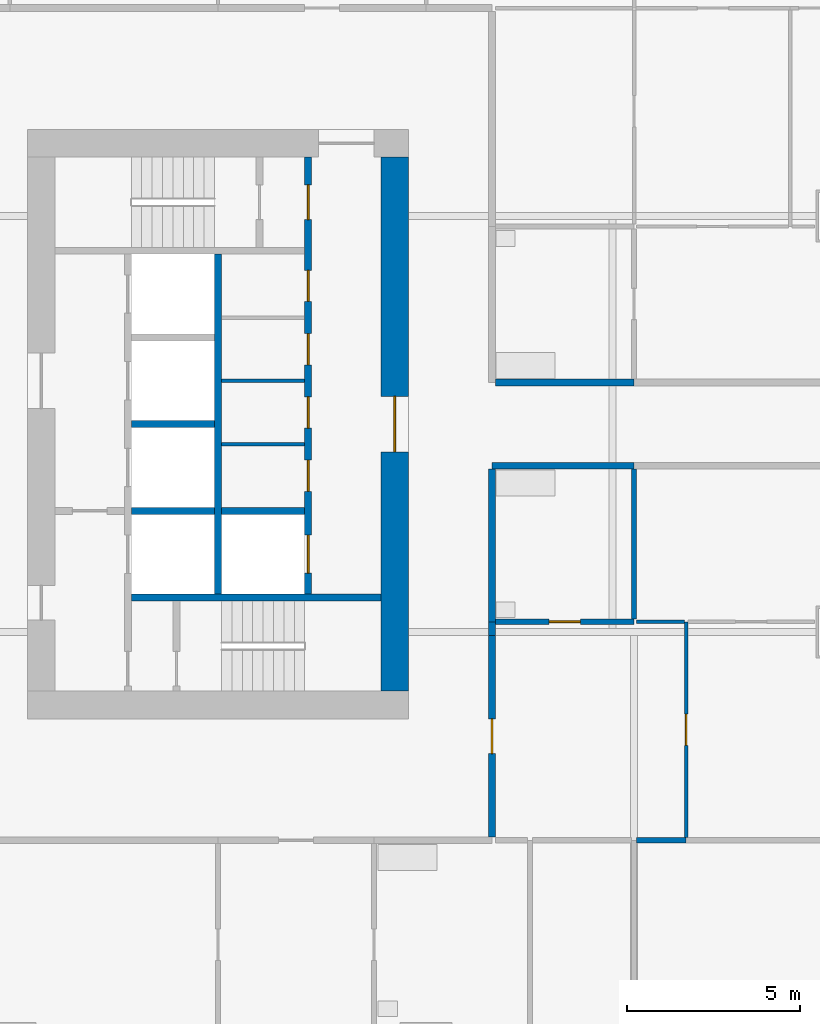
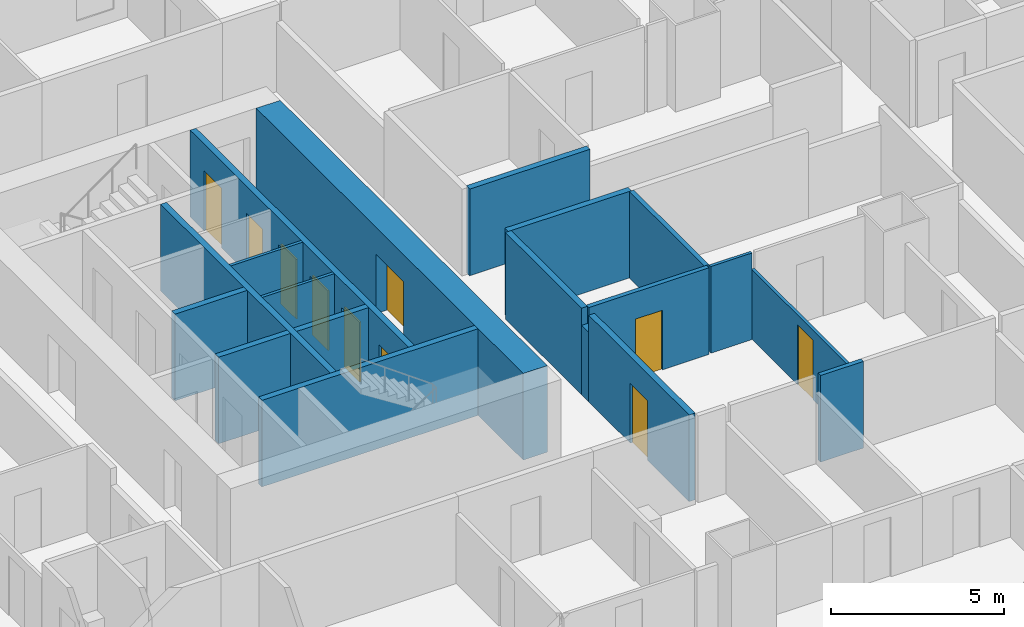
# One storey, part 4 of 14: 19 walls, 10 doors, 10 openings.
"""IFC4 building model written with IfcOpenShell, lengths in metres."""

from ifc_helpers import new_model, si_unit, direction, frame, frame_2d, origin, place, context, subcontext, project, spatial, rectangle, extrude, material, layer, layer_set, type_object, element, fill, save


model = new_model("IFC4")

# Units and contexts
model_context = context("Model", 3, precision=1e-05, world=origin(), true_north=direction((0.0, 1.0)))
body_context = subcontext(model_context, "Body", "Model", "MODEL_VIEW")
ifc_project = project(units=[si_unit("LENGTHUNIT", "METRE"), si_unit("AREAUNIT", "SQUARE_METRE"), si_unit("VOLUMEUNIT", "CUBIC_METRE"), si_unit("PLANEANGLEUNIT", "RADIAN"), si_unit("MASSUNIT", "GRAM", prefix="KILO")], contexts=[model_context])

# Site, building, storey
site_placement = place(None, origin())
site = spatial("IfcSite", under=ifc_project, at=site_placement, CompositionType="ELEMENT")
building_placement = place(site_placement, origin())
building = spatial("IfcBuilding", under=site, at=building_placement, Name="Kitamizu Gate Tower and Museum", CompositionType="ELEMENT")
storey_placement = place(building_placement, frame((0.0, 0.0, 74.85009765625)))
storey = spatial("IfcBuildingStorey", under=building, at=storey_placement, Name="L18", CompositionType="ELEMENT", Elevation=74.85009765625)

# Wall, opening, door
ifc_material_1 = material(Name="Concrete Fc60", Category="concrete")
ifc_layer_1 = layer(ifc_material_1, 0.800048828125)
ifc_layer_set_1 = layer_set([ifc_layer_1], Name="Concrete Fc60")
wall_type_1 = type_object("IfcWallType", Name="Core wall 800", PredefinedType="SHEAR", material=ifc_layer_set_1)
wall_1_placement = place(storey_placement, frame((23.10009765625, 22.300048828125, 0.0), z_axis=(0.0, 0.0, 1.0), x_axis=(0.0, 1.0, 0.0)))
wall_1 = element("IfcWall", 1, at=wall_1_placement, inside=storey, type_object=wall_type_1, Name="Core wall WARC", PredefinedType="SHEAR", context=body_context, shape_type="SweptSolid", body=[
    extrude(rectangle(XDim=15.39990234375, YDim=0.800048828125, at=frame_2d((7.699951171875, 0.0))), origin(), (0.0, 0.0, 1.0), 3.0498046875),
])
opening_1_placement = place(wall_1_placement, frame((6.89990234375, 0.0, 0.0)))
opening_1 = element("IfcOpeningElement", 2, at=opening_1_placement, cuts=wall_1, Name="Opening L18-079", PredefinedType="OPENING", context=body_context, shape_type="SweptSolid", body=[
    extrude(rectangle(XDim=1.60009765625, YDim=2.10009765625, at=frame_2d((0.800048828125, 1.050048828125))), frame((0.0, 0.41015625, 0.0), z_axis=(0.0, -1.0, 0.0), x_axis=(1.0, 0.0, 0.0)), (0.0, 0.0, 1.0), 0.820068359375),
])
ifc_material_2 = material(Name="Timber door set", Category="wood")
door_type_1 = type_object("IfcDoorType", Name="Entrance door 1600", OperationType="DOUBLE_DOOR_SINGLE_SWING", PredefinedType="DOOR", material=ifc_material_2)
door_1_placement = place(opening_1_placement, origin())
door_1 = element("IfcDoor", 3, at=door_1_placement, inside=storey, type_object=door_type_1, Name="Lobby door L18-079", OperationType="DOUBLE_DOOR_SINGLE_SWING", OverallHeight=2.10009765625, OverallWidth=1.60009765625, PredefinedType="DOOR", context=body_context, shape_type="SweptSolid", body=[
    extrude(rectangle(XDim=1.60009765625, YDim=2.10009765625, at=frame_2d((0.800048828125, 1.050048828125))), frame((0.0, 0.02490234375, 0.0), z_axis=(0.0, -1.0, 0.0), x_axis=(1.0, 0.0, 0.0)), (0.0, 0.0, 1.0), 0.050048828125),
])
fill(opening_1, door_1)

# Walls
ifc_material_3 = material(Name="Gypsum board on galvanised stud")
ifc_layer_2 = layer(ifc_material_3, 0.10009765625)
ifc_layer_set_2 = layer_set([ifc_layer_2], Name="Gypsum board on galvanised stud")
wall_type_2 = type_object("IfcWallType", Name="Partition 100", PredefinedType="PARTITIONING", material=ifc_layer_set_2)
for number, where, z_axis, x_axis, name in (
    (4, (18.10009765625, 29.425048828125, 0.0), (0.0, 0.0, 1.0), (1.0, 0.0, 0.0), "Partition WPF1"),
    (5, (18.10009765625, 31.25, 0.0), (0.0, 0.0, 1.0), (1.0, 0.0, 0.0), "Partition WPF2"),
):
    element("IfcWall", number, at=place(storey_placement, frame(where, z_axis=z_axis, x_axis=x_axis)), inside=storey, type_object=wall_type_2, Name=name, PredefinedType="PARTITIONING", context=body_context, shape_type="SweptSolid", body=[
        extrude(rectangle(XDim=2.39990234375, YDim=0.10009765625, at=frame_2d((1.199951171875, 0.0))), origin(), (0.0, 0.0, 1.0), 3.0498046875),
    ])

# Wall, opening, door
ifc_material_4 = material(Name="Gypsum board on galvanised stud")
ifc_layer_3 = layer(ifc_material_4, 0.10009765625)
ifc_layer_set_3 = layer_set([ifc_layer_3], Name="Gypsum board on galvanised stud")
wall_type_3 = type_object("IfcWallType", Name="Partition 100 NOT RATED", PredefinedType="PARTITIONING", material=ifc_layer_set_3)
wall_2_placement = place(storey_placement, frame((31.5, 18.074951171875, 0.0), z_axis=(0.0, 0.0, 1.0), x_axis=(0.0, 1.0, 0.0)))
wall_2 = element("IfcWall", 6, at=wall_2_placement, inside=storey, type_object=wall_type_3, Name="Partition L18-038", PredefinedType="PARTITIONING", context=body_context, shape_type="SweptSolid", body=[
    extrude(rectangle(XDim=6.22509765625, YDim=0.10009765625, at=frame_2d((3.112548828125, 0.0))), origin(), (0.0, 0.0, 1.0), 2.449951171875),
])
opening_2_placement = place(wall_2_placement, frame((2.66259765625, 0.0, 0.0)))
opening_2 = element("IfcOpeningElement", 7, at=opening_2_placement, cuts=wall_2, Name="Opening L18-014", PredefinedType="OPENING", context=body_context, shape_type="SweptSolid", body=[
    extrude(rectangle(XDim=0.89990234375, YDim=2.10009765625, at=frame_2d((0.449951171875, 1.050048828125))), frame((0.0, 0.06005859375, 0.0), z_axis=(0.0, -1.0, 0.0), x_axis=(1.0, 0.0, 0.0)), (0.0, 0.0, 1.0), 0.1201171875),
])
ifc_material_5 = material(Name="Timber door set", Category="wood")
door_type_2 = type_object("IfcDoorType", Name="Room door 900", OperationType="NOTDEFINED", PredefinedType="DOOR", material=ifc_material_5)
door_2_placement = place(opening_2_placement, frame((0.89990234375, 0.0, 0.0), x_axis=(-1.0, 0.0, 0.0)))
door_2 = element("IfcDoor", 8, at=door_2_placement, inside=storey, type_object=door_type_2, Name="Door L18-014", OperationType="SINGLE_SWING_LEFT", OverallHeight=2.10009765625, OverallWidth=0.89990234375, PredefinedType="DOOR", context=body_context, shape_type="SweptSolid", body=[
    extrude(rectangle(XDim=0.89990234375, YDim=2.10009765625, at=frame_2d((0.449951171875, 1.050048828125))), frame((0.0, 0.02490234375, 0.0), z_axis=(0.0, -1.0, 0.0), x_axis=(1.0, 0.0, 0.0)), (0.0, 0.0, 1.0), 0.050048828125),
])
fill(opening_2, door_2)

# Walls
wall_3_placement = place(storey_placement, frame((31.449951171875, 24.300048828125, 0.0), z_axis=(0.0, 0.0, 1.0), x_axis=(-1.0, 0.0, 0.0)))
element("IfcWall", 9, at=wall_3_placement, inside=storey, type_object=wall_type_3, Name="Partition L18-040", PredefinedType="PARTITIONING", context=body_context, shape_type="SweptSolid", body=[
    extrude(rectangle(XDim=1.375, YDim=0.10009765625, at=frame_2d((0.6875, 0.0))), origin(), (0.0, 0.0, 1.0), 3.0498046875),
])
ifc_material_6 = material(Name="Gypsum board on galvanised stud")
ifc_layer_4 = layer(ifc_material_6, 0.14990234375)
ifc_layer_set_4 = layer_set([ifc_layer_4], Name="Gypsum board on galvanised stud")
wall_type_4 = type_object("IfcWallType", Name="Partition 150", PredefinedType="PARTITIONING", material=ifc_layer_set_4)
wall_4_placement = place(storey_placement, frame((31.5, 18.0, 0.0), z_axis=(0.0, 0.0, 1.0), x_axis=(-1.0, 0.0, 0.0)))
element("IfcWall", 10, at=wall_4_placement, inside=storey, type_object=wall_type_4, Name="Partition L18-035", PredefinedType="PARTITIONING", context=body_context, shape_type="SweptSolid", body=[
    extrude(rectangle(XDim=1.425048828125, YDim=0.14990234375, at=frame_2d((0.71240234375, 0.0))), origin(), (0.0, 0.0, 1.0), 3.0498046875),
])

# Wall, opening, door
wall_5_placement = place(storey_placement, frame((30.0, 24.300048828125, 0.0), z_axis=(0.0, 0.0, 1.0), x_axis=(-1.0, 0.0, 0.0)))
wall_5 = element("IfcWall", 11, at=wall_5_placement, inside=storey, type_object=wall_type_4, Name="Partition L18-039", PredefinedType="PARTITIONING", context=body_context, shape_type="SweptSolid", body=[
    extrude(rectangle(XDim=4.0, YDim=0.14990234375, at=frame_2d((2.0, 0.0))), origin(), (0.0, 0.0, 1.0), 3.0498046875),
])
opening_3_placement = place(wall_5_placement, frame((1.550048828125, 0.0, 0.0)))
opening_3 = element("IfcOpeningElement", 12, at=opening_3_placement, cuts=wall_5, Name="Opening L18-016", PredefinedType="OPENING", context=body_context, shape_type="SweptSolid", body=[
    extrude(rectangle(XDim=0.89990234375, YDim=2.10009765625, at=frame_2d((0.449951171875, 1.050048828125))), frame((0.0, 0.0849609375, 0.0), z_axis=(0.0, -1.0, 0.0), x_axis=(1.0, 0.0, 0.0)), (0.0, 0.0, 1.0), 0.169921875),
])
ifc_material_7 = material(Name="Timber door set", Category="wood")
door_type_3 = type_object("IfcDoorType", Name="Bathroom door 900", OperationType="NOTDEFINED", PredefinedType="DOOR", material=ifc_material_7)
door_3_placement = place(opening_3_placement, frame((0.89990234375, 0.0, 0.0), x_axis=(-1.0, 0.0, 0.0)))
door_3 = element("IfcDoor", 13, at=door_3_placement, inside=storey, type_object=door_type_3, Name="Bathroom door L18-016", OperationType="SINGLE_SWING_LEFT", OverallHeight=2.10009765625, OverallWidth=0.89990234375, PredefinedType="DOOR", context=body_context, shape_type="SweptSolid", body=[
    extrude(rectangle(XDim=0.89990234375, YDim=2.10009765625, at=frame_2d((0.449951171875, 1.050048828125))), frame((0.0, 0.02490234375, 0.0), z_axis=(0.0, -1.0, 0.0), x_axis=(1.0, 0.0, 0.0)), (0.0, 0.0, 1.0), 0.050048828125),
])
fill(opening_3, door_3)

# Walls
wall_6_placement = place(storey_placement, frame((30.0, 24.375, 0.0), z_axis=(0.0, 0.0, 1.0), x_axis=(0.0, 1.0, 0.0)))
element("IfcWall", 14, at=wall_6_placement, inside=storey, type_object=wall_type_4, Name="Partition L18-048", PredefinedType="PARTITIONING", context=body_context, shape_type="SweptSolid", body=[
    extrude(rectangle(XDim=4.324951171875, YDim=0.14990234375, at=frame_2d((2.16259765625, 0.0))), origin(), (0.0, 0.0, 1.0), 3.0498046875),
])
ifc_material_8 = material(Name="Gypsum board on galvanised stud")
ifc_layer_5 = layer(ifc_material_8, 0.199951171875)
ifc_layer_set_5 = layer_set([ifc_layer_5], Name="Gypsum board on galvanised stud")
wall_type_5 = type_object("IfcWallType", Name="Partition 200", PredefinedType="PARTITIONING", material=ifc_layer_set_5)
wall_7_placement = place(storey_placement, frame((25.89990234375, 24.300048828125, 0.0), z_axis=(0.0, 0.0, 1.0), x_axis=(0.0, -1.0, 0.0)))
element("IfcWall", 15, at=wall_7_placement, inside=storey, type_object=wall_type_5, Name="Partition L18-041", PredefinedType="PARTITIONING", context=body_context, shape_type="SweptSolid", body=[
    extrude(rectangle(XDim=0.400146484375, YDim=0.199951171875, at=frame_2d((0.2001953125, 0.0))), origin(), (0.0, 0.0, 1.0), 2.449951171875),
])

# Wall, opening, door
wall_8_placement = place(storey_placement, frame((25.89990234375, 23.89990234375, 0.0), z_axis=(0.0, 0.0, 1.0), x_axis=(0.0, -1.0, 0.0)))
wall_8 = element("IfcWall", 16, at=wall_8_placement, inside=storey, type_object=wall_type_5, Name="Partition L18-042", PredefinedType="PARTITIONING", context=body_context, shape_type="SweptSolid", body=[
    extrude(rectangle(XDim=5.7998046875, YDim=0.199951171875, at=frame_2d((2.89990234375, 0.0))), origin(), (0.0, 0.0, 1.0), 3.0498046875),
])
opening_4_placement = place(wall_8_placement, frame((2.39990234375, 0.0, 0.0)))
opening_4 = element("IfcOpeningElement", 17, at=opening_4_placement, cuts=wall_8, Name="Opening L18-013", PredefinedType="OPENING", context=body_context, shape_type="SweptSolid", body=[
    extrude(rectangle(XDim=1.0, YDim=2.10009765625, at=frame_2d((0.5, 1.050048828125))), frame((0.0, 0.10986328125, 0.0), z_axis=(0.0, -1.0, 0.0), x_axis=(1.0, 0.0, 0.0)), (0.0, 0.0, 1.0), 0.219970703125),
])
ifc_material_9 = material(Name="Timber door set", Category="wood")
door_type_4 = type_object("IfcDoorType", Name="Flat entrance door 1000", OperationType="NOTDEFINED", PredefinedType="DOOR", material=ifc_material_9)
door_4_placement = place(opening_4_placement, origin())
door_4 = element("IfcDoor", 18, at=door_4_placement, inside=storey, type_object=door_type_4, Name="Flat entrance door L18-013", OperationType="SINGLE_SWING_LEFT", OverallHeight=2.10009765625, OverallWidth=1.0, PredefinedType="DOOR", context=body_context, shape_type="SweptSolid", body=[
    extrude(rectangle(XDim=1.0, YDim=2.10009765625, at=frame_2d((0.5, 1.050048828125))), frame((0.0, 0.02490234375, 0.0), z_axis=(0.0, -1.0, 0.0), x_axis=(1.0, 0.0, 0.0)), (0.0, 0.0, 1.0), 0.050048828125),
])
fill(opening_4, door_4)

# Walls
wall_9_placement = place(storey_placement, frame((30.0, 28.800048828125, 0.0), z_axis=(0.0, 0.0, 1.0), x_axis=(-1.0, 0.0, 0.0)))
element("IfcWall", 19, at=wall_9_placement, inside=storey, type_object=wall_type_5, Name="Partition L18-049", PredefinedType="PARTITIONING", context=body_context, shape_type="SweptSolid", body=[
    extrude(rectangle(XDim=4.10009765625, YDim=0.199951171875, at=frame_2d((2.050048828125, 0.0))), origin(), (0.0, 0.0, 1.0), 3.0498046875),
])
wall_10_placement = place(storey_placement, frame((25.89990234375, 28.699951171875, 0.0), z_axis=(0.0, 0.0, 1.0), x_axis=(0.0, -1.0, 0.0)))
element("IfcWall", 20, at=wall_10_placement, inside=storey, type_object=wall_type_5, Name="Partition L18-050", PredefinedType="PARTITIONING", context=body_context, shape_type="SweptSolid", body=[
    extrude(rectangle(XDim=4.39990234375, YDim=0.199951171875, at=frame_2d((2.199951171875, 0.0))), origin(), (0.0, 0.0, 1.0), 3.0498046875),
])
wall_11_placement = place(storey_placement, frame((26.0, 31.199951171875, 0.0), z_axis=(0.0, 0.0, 1.0), x_axis=(1.0, 0.0, 0.0)))
element("IfcWall", 21, at=wall_11_placement, inside=storey, type_object=wall_type_5, Name="Partition L18-167", PredefinedType="PARTITIONING", context=body_context, shape_type="SweptSolid", body=[
    extrude(rectangle(XDim=4.0, YDim=0.199951171875, at=frame_2d((2.0, 0.0))), origin(), (0.0, 0.0, 1.0), 3.0498046875),
])

# Wall, openings, doors
ifc_material_10 = material(Name="Concrete Fc42", Category="concrete")
ifc_layer_6 = layer(ifc_material_10, 0.199951171875)
ifc_layer_set_6 = layer_set([ifc_layer_6], Name="Concrete Fc42")
wall_type_6 = type_object("IfcWallType", Name="Shaft wall 200", PredefinedType="SOLIDWALL", material=ifc_layer_set_6)
wall_12_placement = place(storey_placement, frame((20.60009765625, 25.10009765625, 0.0), z_axis=(0.0, 0.0, 1.0), x_axis=(0.0, 1.0, 0.0)))
wall_12 = element("IfcWall", 22, at=wall_12_placement, inside=storey, type_object=wall_type_6, Name="Shaft wall WEAST", PredefinedType="SOLIDWALL", context=body_context, shape_type="SweptSolid", body=[
    extrude(rectangle(XDim=12.599853515625, YDim=0.199951171875, at=frame_2d((6.2998046875, 0.0))), origin(), (0.0, 0.0, 1.0), 3.0498046875),
])
opening_5_placement = place(wall_12_placement, frame((0.60009765625, 0.0, 0.0)))
opening_5 = element("IfcOpeningElement", 23, at=opening_5_placement, cuts=wall_12, Name="Opening LD", PredefinedType="OPENING", context=body_context, shape_type="SweptSolid", body=[
    extrude(rectangle(XDim=1.10009765625, YDim=2.10009765625, at=frame_2d((0.550048828125, 1.050048828125))), frame((0.0, 0.10986328125, 0.0), z_axis=(0.0, -1.0, 0.0), x_axis=(1.0, 0.0, 0.0)), (0.0, 0.0, 1.0), 0.219970703125),
])
opening_6_placement = place(wall_12_placement, frame((10.800048828125, 0.0, 0.0)))
opening_6 = element("IfcOpeningElement", 24, at=opening_6_placement, cuts=wall_12, Name="Opening L18-073", PredefinedType="OPENING", context=body_context, shape_type="SweptSolid", body=[
    extrude(rectangle(XDim=1.0, YDim=2.10009765625, at=frame_2d((0.5, 1.050048828125))), frame((0.0, 0.10986328125, 0.0), z_axis=(0.0, -1.0, 0.0), x_axis=(1.0, 0.0, 0.0)), (0.0, 0.0, 1.0), 0.219970703125),
])
opening_7_placement = place(wall_12_placement, frame((2.96240234375, 0.0, 0.0)))
opening_7 = element("IfcOpeningElement", 25, at=opening_7_placement, cuts=wall_12, Name="Opening L18-080", PredefinedType="OPENING", context=body_context, shape_type="SweptSolid", body=[
    extrude(rectangle(XDim=0.89990234375, YDim=2.10009765625, at=frame_2d((0.449951171875, 1.050048828125))), frame((0.0, 0.10986328125, 0.0), z_axis=(0.0, -1.0, 0.0), x_axis=(1.0, 0.0, 0.0)), (0.0, 0.0, 1.0), 0.219970703125),
])
opening_8_placement = place(wall_12_placement, frame((4.78759765625, 0.0, 0.0)))
opening_8 = element("IfcOpeningElement", 26, at=opening_8_placement, cuts=wall_12, Name="Opening L18-081", PredefinedType="OPENING", context=body_context, shape_type="SweptSolid", body=[
    extrude(rectangle(XDim=0.89990234375, YDim=2.10009765625, at=frame_2d((0.449951171875, 1.050048828125))), frame((0.0, 0.10986328125, 0.0), z_axis=(0.0, -1.0, 0.0), x_axis=(1.0, 0.0, 0.0)), (0.0, 0.0, 1.0), 0.219970703125),
])
opening_9_placement = place(wall_12_placement, frame((6.612548828125, 0.0, 0.0)))
opening_9 = element("IfcOpeningElement", 27, at=opening_9_placement, cuts=wall_12, Name="Opening L18-082", PredefinedType="OPENING", context=body_context, shape_type="SweptSolid", body=[
    extrude(rectangle(XDim=0.89990234375, YDim=2.10009765625, at=frame_2d((0.449951171875, 1.050048828125))), frame((0.0, 0.10986328125, 0.0), z_axis=(0.0, -1.0, 0.0), x_axis=(1.0, 0.0, 0.0)), (0.0, 0.0, 1.0), 0.219970703125),
])
opening_10_placement = place(wall_12_placement, frame((8.4375, 0.0, 0.0)))
opening_10 = element("IfcOpeningElement", 28, at=opening_10_placement, cuts=wall_12, Name="Opening L18-083", PredefinedType="OPENING", context=body_context, shape_type="SweptSolid", body=[
    extrude(rectangle(XDim=0.89990234375, YDim=2.10009765625, at=frame_2d((0.449951171875, 1.050048828125))), frame((0.0, 0.10986328125, 0.0), z_axis=(0.0, -1.0, 0.0), x_axis=(1.0, 0.0, 0.0)), (0.0, 0.0, 1.0), 0.219970703125),
])
ifc_material_11 = material(Name="Hollow metal door set")
door_type_5 = type_object("IfcDoorType", Name="Fire door 1000", OperationType="NOTDEFINED", PredefinedType="DOOR", material=ifc_material_11)
door_5_placement = place(opening_6_placement, origin())
door_5 = element("IfcDoor", 29, at=door_5_placement, inside=storey, type_object=door_type_5, Name="Stair lobby door L18-073", OperationType="SINGLE_SWING_RIGHT", OverallHeight=2.10009765625, OverallWidth=1.0, PredefinedType="DOOR", context=body_context, shape_type="SweptSolid", body=[
    extrude(rectangle(XDim=1.0, YDim=2.10009765625, at=frame_2d((0.5, 1.050048828125))), frame((0.0, 0.02490234375, 0.0), z_axis=(0.0, -1.0, 0.0), x_axis=(1.0, 0.0, 0.0)), (0.0, 0.0, 1.0), 0.050048828125),
])
fill(opening_6, door_5)
ifc_material_12 = material(Name="Hollow metal door set")
door_type_6 = type_object("IfcDoorType", Name="Landing door 1100", OperationType="SLIDING_TO_LEFT", PredefinedType="DOOR", material=ifc_material_12)
door_6_placement = place(opening_5_placement, origin())
door_6 = element("IfcDoor", 30, at=door_6_placement, inside=storey, type_object=door_type_6, Name="Landing door WSV1", OperationType="SLIDING_TO_LEFT", OverallHeight=2.10009765625, OverallWidth=1.10009765625, PredefinedType="DOOR", context=body_context, shape_type="SweptSolid", body=[
    extrude(rectangle(XDim=1.10009765625, YDim=2.10009765625, at=frame_2d((0.550048828125, 1.050048828125))), frame((0.0, 0.02490234375, 0.0), z_axis=(0.0, -1.0, 0.0), x_axis=(1.0, 0.0, 0.0)), (0.0, 0.0, 1.0), 0.050048828125),
])
fill(opening_5, door_6)
ifc_material_13 = material(Name="Timber door set", Category="wood")
door_type_7 = type_object("IfcDoorType", Name="Service door 900", OperationType="NOTDEFINED", PredefinedType="DOOR", material=ifc_material_13)
door_7_placement = place(opening_7_placement, origin())
door_7 = element("IfcDoor", 31, at=door_7_placement, inside=storey, type_object=door_type_7, Name="Service door L18-080", OperationType="SINGLE_SWING_RIGHT", OverallHeight=2.10009765625, OverallWidth=0.89990234375, PredefinedType="DOOR", context=body_context, shape_type="SweptSolid", body=[
    extrude(rectangle(XDim=0.89990234375, YDim=2.10009765625, at=frame_2d((0.449951171875, 1.050048828125))), frame((0.0, 0.02490234375, 0.0), z_axis=(0.0, -1.0, 0.0), x_axis=(1.0, 0.0, 0.0)), (0.0, 0.0, 1.0), 0.050048828125),
])
fill(opening_7, door_7)
door_8_placement = place(opening_8_placement, origin())
door_8 = element("IfcDoor", 32, at=door_8_placement, inside=storey, type_object=door_type_7, Name="Service door L18-081", OperationType="SINGLE_SWING_LEFT", OverallHeight=2.10009765625, OverallWidth=0.89990234375, PredefinedType="DOOR", context=body_context, shape_type="SweptSolid", body=[
    extrude(rectangle(XDim=0.89990234375, YDim=2.10009765625, at=frame_2d((0.449951171875, 1.050048828125))), frame((0.0, 0.02490234375, 0.0), z_axis=(0.0, -1.0, 0.0), x_axis=(1.0, 0.0, 0.0)), (0.0, 0.0, 1.0), 0.050048828125),
])
fill(opening_8, door_8)
door_9_placement = place(opening_9_placement, origin())
door_9 = element("IfcDoor", 33, at=door_9_placement, inside=storey, type_object=door_type_7, Name="Service door L18-082", OperationType="SINGLE_SWING_RIGHT", OverallHeight=2.10009765625, OverallWidth=0.89990234375, PredefinedType="DOOR", context=body_context, shape_type="SweptSolid", body=[
    extrude(rectangle(XDim=0.89990234375, YDim=2.10009765625, at=frame_2d((0.449951171875, 1.050048828125))), frame((0.0, 0.02490234375, 0.0), z_axis=(0.0, -1.0, 0.0), x_axis=(1.0, 0.0, 0.0)), (0.0, 0.0, 1.0), 0.050048828125),
])
fill(opening_9, door_9)
door_10_placement = place(opening_10_placement, origin())
door_10 = element("IfcDoor", 34, at=door_10_placement, inside=storey, type_object=door_type_7, Name="Service door L18-083", OperationType="SINGLE_SWING_LEFT", OverallHeight=2.10009765625, OverallWidth=0.89990234375, PredefinedType="DOOR", context=body_context, shape_type="SweptSolid", body=[
    extrude(rectangle(XDim=0.89990234375, YDim=2.10009765625, at=frame_2d((0.449951171875, 1.050048828125))), frame((0.0, 0.02490234375, 0.0), z_axis=(0.0, -1.0, 0.0), x_axis=(1.0, 0.0, 0.0)), (0.0, 0.0, 1.0), 0.050048828125),
])
fill(opening_10, door_10)

# Walls
wall_13_placement = place(storey_placement, frame((18.0, 25.10009765625, 0.0), z_axis=(0.0, 0.0, 1.0), x_axis=(0.0, 1.0, 0.0)))
element("IfcWall", 35, at=wall_13_placement, inside=storey, type_object=wall_type_6, Name="Shaft wall WMID", PredefinedType="SOLIDWALL", context=body_context, shape_type="SweptSolid", body=[
    extrude(rectangle(XDim=9.7998046875, YDim=0.199951171875, at=frame_2d((4.89990234375, 0.0))), origin(), (0.0, 0.0, 1.0), 3.0498046875),
])
wall_14_placement = place(storey_placement, frame((15.5, 25.0, 0.0), z_axis=(0.0, 0.0, 1.0), x_axis=(1.0, 0.0, 0.0)))
element("IfcWall", 36, at=wall_14_placement, inside=storey, type_object=wall_type_6, Name="Shaft wall WSB", PredefinedType="SOLIDWALL", context=body_context, shape_type="SweptSolid", body=[
    extrude(rectangle(XDim=7.199951171875, YDim=0.199951171875, at=frame_2d((3.60009765625, 0.0))), origin(), (0.0, 0.0, 1.0), 3.0498046875),
])
for number, where, z_axis, x_axis, name in (
    (37, (15.5, 27.5, 0.0), (0.0, 0.0, 1.0), (1.0, 0.0, 0.0), "Shaft wall WDVW0"),
    (38, (15.5, 30.0, 0.0), (0.0, 0.0, 1.0), (1.0, 0.0, 0.0), "Shaft wall WDVW1"),
    (39, (18.10009765625, 27.5, 0.0), (0.0, 0.0, 1.0), (1.0, 0.0, 0.0), "Shaft wall WDVE0"),
):
    element("IfcWall", number, at=place(storey_placement, frame(where, z_axis=z_axis, x_axis=x_axis)), inside=storey, type_object=wall_type_6, Name=name, PredefinedType="SOLIDWALL", context=body_context, shape_type="SweptSolid", body=[
        extrude(rectangle(XDim=2.39990234375, YDim=0.199951171875, at=frame_2d((1.199951171875, 0.0))), origin(), (0.0, 0.0, 1.0), 3.0498046875),
    ])

save(model, "model.ifc")
